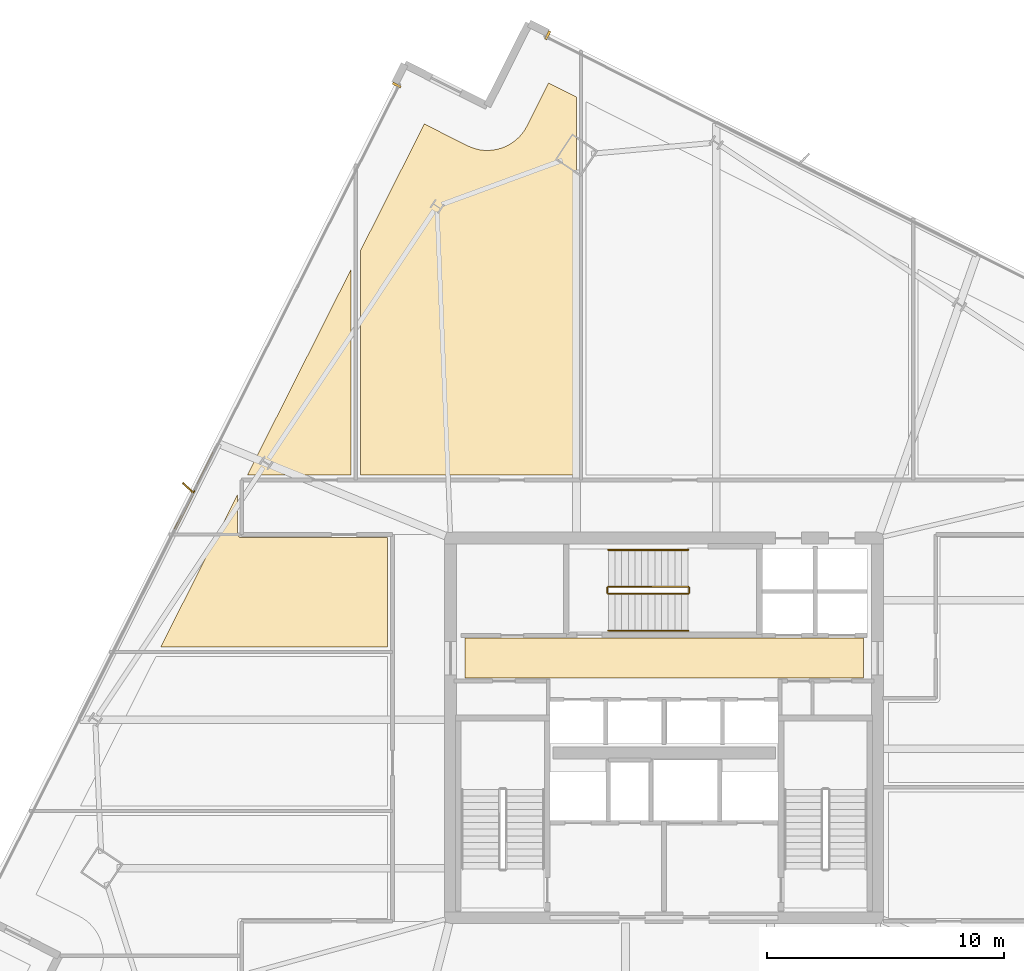
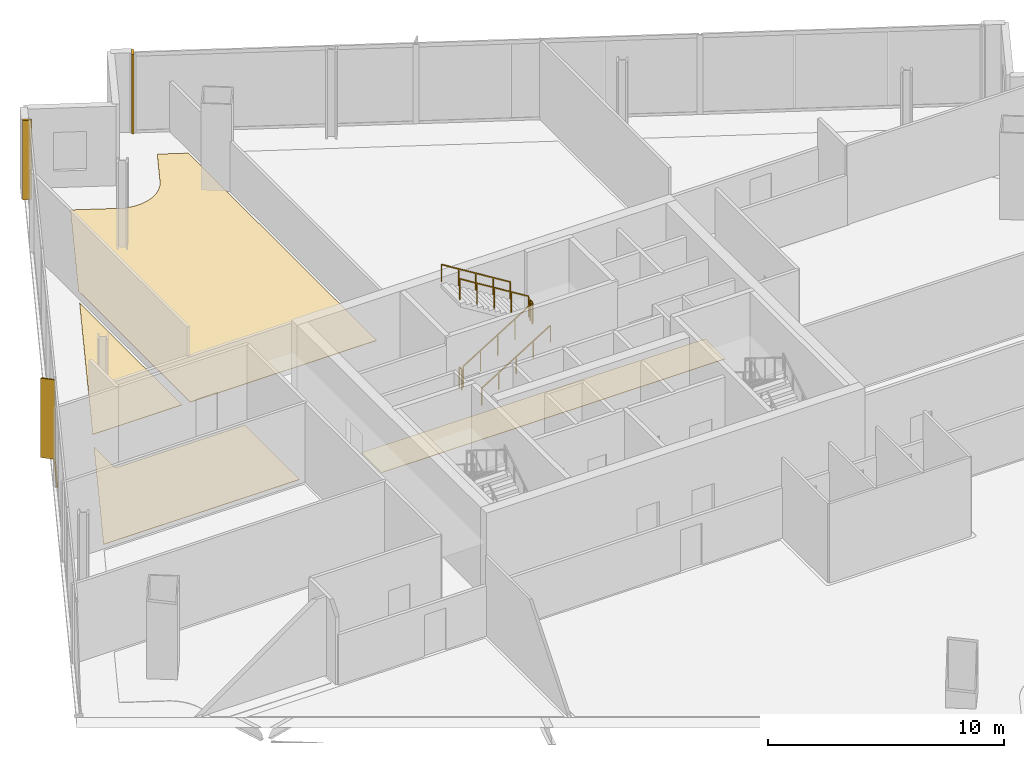
# One storey, part 26 of 27: 7 coverings, 6 railings, 1 shading device.
"""IFC4 building model written with IfcOpenShell, lengths in metres."""

import ifcopenshell
import ifcopenshell.guid

model = None  # the IFC model being written
_history = None  # IfcOwnerHistory: only IFC2X3 demands one
_inside = {}  # id of a spatial element -> (the spatial element, [elements in it])
_under = {}  # id of a project, library or spatial element -> (it, [spatial elements below it])
_declared = {}  # id of a project -> (the project, [libraries it declares])
_typed = {}  # id of a type object -> (the type object, [elements of that type])
_made_of = {}  # id of a material, layer set ... -> (it, [elements and type objects made of it])


def new_model(schema):
    """Start an empty IFC model of exactly this schema.

    Asked for "IFC4X3", IfcOpenShell would pick the latest addendum, in which some entities
    have other attributes; the version numbers below select the first issue.
    IFC2X3 requires an IfcOwnerHistory on every rooted entity: one is made here for all.
    """
    global model, _history
    if schema == "IFC4X3":
        model = ifcopenshell.file(schema_version=(4, 3, 0, 0))
    else:
        model = ifcopenshell.file(schema=schema)
    _inside.clear()
    _under.clear()
    _declared.clear()
    _typed.clear()
    _made_of.clear()
    _history = None
    if model.schema == "IFC2X3":
        org = make("IfcOrganization", Name="unknown")
        user = make(
            "IfcPersonAndOrganization",
            ThePerson=make("IfcPerson", FamilyName="unknown"),
            TheOrganization=org,
        )
        app = make(
            "IfcApplication",
            ApplicationDeveloper=org,
            Version="unknown",
            ApplicationFullName="unknown",
            ApplicationIdentifier="unknown",
        )
        _history = make(
            "IfcOwnerHistory",
            OwningUser=user,
            OwningApplication=app,
            ChangeAction="ADDED",
            CreationDate=0,
        )
    return model


def make(cls, **values):
    """One entity of the class cls with the attributes given. An attribute that is None is left unset."""
    return model.create_entity(
        cls, **{name: value for name, value in values.items() if value is not None}
    )


def rooted(cls, **values):
    """An entity with a GlobalId (a new one), such as an element, a storey or a relation."""
    return make(cls, GlobalId=ifcopenshell.guid.new(), OwnerHistory=_history, **values)


def si_unit(unit_type, name, prefix=None):
    """IfcSIUnit, for example si_unit("LENGTHUNIT", "METRE", prefix="MILLI")."""
    return make("IfcSIUnit", UnitType=unit_type, Prefix=prefix, Name=name)


def assignment(units):
    """IfcUnitAssignment: the units of a project."""
    return None if units is None else make("IfcUnitAssignment", Units=units)


def point(xyz):
    """IfcCartesianPoint."""
    return None if xyz is None else make("IfcCartesianPoint", Coordinates=xyz)


def direction(xyz):
    """IfcDirection."""
    return None if xyz is None else make("IfcDirection", DirectionRatios=xyz)


def frame(location, z_axis=None, x_axis=None):
    """IfcAxis2Placement3D, a coordinate frame: its origin and axes. An axis left out is left unset."""
    return make(
        "IfcAxis2Placement3D",
        Location=point(location),
        Axis=direction(z_axis),
        RefDirection=direction(x_axis),
    )


def frame_2d(location, x_axis=None):
    """IfcAxis2Placement2D, a coordinate frame in the plane: its origin and x axis."""
    return make(
        "IfcAxis2Placement2D", Location=point(location), RefDirection=direction(x_axis)
    )


def origin():
    """The frame at (0, 0, 0) with its axes left unset."""
    return frame((0.0, 0.0, 0.0))


def origin_2d():
    """The frame at (0, 0) in the plane with its x axis left unset."""
    return frame_2d((0.0, 0.0))


def place(relative_to, where):
    """IfcLocalPlacement: puts the frame where relative to a parent placement (None: the world)."""
    return make(
        "IfcLocalPlacement", PlacementRelTo=relative_to, RelativePlacement=where
    )


def context(
    kind, dimensions, precision=None, world=None, true_north=None, identifier=None
):
    """IfcGeometricRepresentationContext, for example the 3D "Model" context."""
    return make(
        "IfcGeometricRepresentationContext",
        ContextIdentifier=identifier,
        ContextType=kind,
        CoordinateSpaceDimension=dimensions,
        Precision=precision,
        WorldCoordinateSystem=world,
        TrueNorth=true_north,
    )


def subcontext(parent, identifier, kind, view, scale=None):
    """IfcGeometricRepresentationSubContext, for example "Body" below "Model"."""
    return make(
        "IfcGeometricRepresentationSubContext",
        ContextIdentifier=identifier,
        ContextType=kind,
        ParentContext=parent,
        TargetScale=scale,
        TargetView=view,
    )


def project(units=None, contexts=None):
    """IfcProject with its units and contexts."""
    return rooted(
        "IfcProject",
        Name="project",
        RepresentationContexts=contexts,
        UnitsInContext=assignment(units),
    )


def spatial(cls, under=None, at=None, **own):
    """A site, building, storey or space (cls), placed at a placement, below another one or the project."""
    s = rooted(cls, ObjectPlacement=at, **own)
    if under is not None:
        _under.setdefault(under.id(), (under, []))[1].append(s)
    return s


def polyline(points):
    """IfcPolyline through the points."""
    return make("IfcPolyline", Points=[point(p) for p in points])


def profile(cls, at=None, kind="AREA", **sizes):
    """A parametric profile (cls). Its sizes go by their IFC names, for example OverallWidth=200.0."""
    return make(cls, ProfileType=kind, Position=at, **sizes)


def rectangle(**sizes):
    """IfcRectangleProfileDef."""
    return profile("IfcRectangleProfileDef", **sizes)


def outline(outer, holes=None, kind="AREA"):
    """IfcArbitraryClosedProfileDef: a profile drawn as a closed curve; with holes, ...WithVoids."""
    if holes is None:
        return make("IfcArbitraryClosedProfileDef", ProfileType=kind, OuterCurve=outer)
    return make(
        "IfcArbitraryProfileDefWithVoids",
        ProfileType=kind,
        OuterCurve=outer,
        InnerCurves=holes,
    )


def extrude(swept, where, along, depth):
    """IfcExtrudedAreaSolid: the profile swept, set in the frame where, extruded along a direction by depth."""
    return make(
        "IfcExtrudedAreaSolid",
        SweptArea=swept,
        Position=where,
        ExtrudedDirection=direction(along),
        Depth=depth,
    )


def shape(context_of_items, identifier, shape_type, items):
    """IfcShapeRepresentation: the items that make up one representation, for example the "Body"."""
    return make(
        "IfcShapeRepresentation",
        ContextOfItems=context_of_items,
        RepresentationIdentifier=identifier,
        RepresentationType=shape_type,
        Items=items,
    )


def source(mapping_origin, context_of_items, identifier, shape_type, items):
    """IfcRepresentationMap: a shape defined once, which mapped items show again and again."""
    return make(
        "IfcRepresentationMap",
        MappingOrigin=mapping_origin,
        MappedRepresentation=shape(context_of_items, identifier, shape_type, items),
    )


def transform(
    local_origin,
    x_axis=None,
    y_axis=None,
    z_axis=None,
    scale=None,
    scale2=None,
    scale3=None,
    uniform=True,
):
    """IfcCartesianTransformationOperator3D, or its non-uniform kind. x_axis, y_axis, z_axis: its Axis1, 2, 3."""
    if uniform:
        return make(
            "IfcCartesianTransformationOperator3D",
            Axis1=direction(x_axis),
            Axis2=direction(y_axis),
            LocalOrigin=point(local_origin),
            Scale=scale,
            Axis3=direction(z_axis),
        )
    return make(
        "IfcCartesianTransformationOperator3DnonUniform",
        Axis1=direction(x_axis),
        Axis2=direction(y_axis),
        LocalOrigin=point(local_origin),
        Scale=scale,
        Axis3=direction(z_axis),
        Scale2=scale2,
        Scale3=scale3,
    )


def mapped(mapping_source, mapping_target):
    """IfcMappedItem: shows the shape of a source again, moved by a transform."""
    return make(
        "IfcMappedItem", MappingSource=mapping_source, MappingTarget=mapping_target
    )


def material(Name=None, Category=None):
    """IfcMaterial."""
    return make("IfcMaterial", Name=Name, Category=Category)


def layer(
    of_material, thickness, ventilated=None, Name=None, Category=None, Priority=None
):
    """IfcMaterialLayer: one layer of a wall or slab, of a material (None: an air gap)."""
    return make(
        "IfcMaterialLayer",
        Material=of_material,
        LayerThickness=thickness,
        IsVentilated=ventilated,
        Name=Name,
        Category=Category,
        Priority=Priority,
    )


def layer_set(layers, Name=None):
    """IfcMaterialLayerSet."""
    return make("IfcMaterialLayerSet", MaterialLayers=layers, LayerSetName=Name)


def made_of(thing, what):
    """Note that an element or type object is made of a material, layer set ...; save() writes the relation."""
    if what is not None:
        _made_of.setdefault(what.id(), (what, []))[1].append(thing)
    return thing


def type_object(cls, material=None, **own):
    """A type object (cls), such as IfcWallType, which elements share."""
    return made_of(rooted(cls, **own), material)


def element(
    cls,
    number,
    at=None,
    inside=None,
    cuts=None,
    type_object=None,
    material=None,
    context=None,
    identifier="Body",
    shape_type=None,
    held_by="IfcProductDefinitionShape",
    body=None,
    shapes=None,
    **own,
):
    """One element of the class cls, such as IfcWall. Its Tag is "e" and its number.

    at: its placement. inside: the storey or other place that contains it. cuts: it is an
    opening in that element (IfcRelVoidsElement). A single representation is given by context,
    identifier, shape_type and body (its items); several are given by shapes. held_by: the class
    of the entity that holds the representations. save() writes the other relations.
    """
    e = rooted(cls, Tag="e%d" % number, ObjectPlacement=at, **own)
    if body is not None:
        shapes = [shape(context, identifier, shape_type, body)]
    if shapes is not None:
        e.Representation = make(held_by, Representations=shapes)
    if inside is not None:
        _inside.setdefault(inside.id(), (inside, []))[1].append(e)
    if cuts is not None:
        rooted(
            "IfcRelVoidsElement", RelatingBuildingElement=cuts, RelatedOpeningElement=e
        )
    if type_object is not None:
        _typed.setdefault(type_object.id(), (type_object, []))[1].append(e)
    return made_of(e, material)


def aggregate(whole, parts):
    """IfcRelAggregates: a whole, such as a stair, and the parts it consists of."""
    return rooted("IfcRelAggregates", RelatingObject=whole, RelatedObjects=parts)


def save(model, path):
    """Write the relations noted so far, then the file.

    IfcRelAggregates (storeys below a building ...), IfcRelContainedInSpatialStructure (elements
    in a storey), IfcRelDefinesByType, IfcRelAssociatesMaterial and IfcRelDeclares: one each for
    every whole, place, type object, material and project.
    """
    for whole, parts in _under.values():
        aggregate(whole, parts)
    for where, things in _inside.values():
        rooted(
            "IfcRelContainedInSpatialStructure",
            RelatedElements=things,
            RelatingStructure=where,
        )
    for kind, things in _typed.values():
        rooted("IfcRelDefinesByType", RelatedObjects=things, RelatingType=kind)
    for what, things in _made_of.values():
        rooted("IfcRelAssociatesMaterial", RelatedObjects=things, RelatingMaterial=what)
    for by, libraries in _declared.values():
        rooted("IfcRelDeclares", RelatingContext=by, RelatedDefinitions=libraries)
    model.write(path)


model = new_model("IFC4")

# Units and contexts
model_context = context("Model", 3, precision=1e-05, world=origin(), true_north=direction((0.0, 1.0)))
body_context = subcontext(model_context, "Body", "Model", "MODEL_VIEW")
ifc_project = project(units=[si_unit("LENGTHUNIT", "METRE"), si_unit("AREAUNIT", "SQUARE_METRE"), si_unit("VOLUMEUNIT", "CUBIC_METRE"), si_unit("PLANEANGLEUNIT", "RADIAN"), si_unit("MASSUNIT", "GRAM", prefix="KILO")], contexts=[model_context])

# Site, building, storey
site_placement = place(None, origin())
site = spatial("IfcSite", under=ifc_project, at=site_placement, CompositionType="ELEMENT")
building_placement = place(site_placement, origin())
building = spatial("IfcBuilding", under=site, at=building_placement, Name="Haldenkirk Collegiate Tower", CompositionType="ELEMENT")
storey_placement = place(building_placement, frame((0.0, 0.0, 239.699951171875)))
storey = spatial("IfcBuildingStorey", under=building, at=storey_placement, Name="L60", CompositionType="ELEMENT", Elevation=239.699951171875)

# Coverings
ifc_material_1 = material(Name="Polished collegiate terrazzo", Category="concrete")
ifc_layer_1 = layer(ifc_material_1, 0.02490234375)
ifc_layer_set_1 = layer_set([ifc_layer_1], Name="Polished collegiate terrazzo")
covering_type_1 = type_object("IfcCoveringType", Name="COV-FLOOR-TERRAZZO", PredefinedType="FLOORING", material=ifc_layer_set_1)
covering_1_placement = place(storey_placement, origin())
element("IfcCovering", 1, at=covering_1_placement, inside=storey, type_object=covering_type_1, Name="L60 polished terrazzo lobby finish", PredefinedType="FLOORING", context=body_context, shape_type="SweptSolid", body=[
    extrude(outline(polyline([(27.60009765625, 28.10009765625), (44.39990234375, 28.10009765625), (44.39990234375, 29.800048828125), (27.60009765625, 29.800048828125), (27.60009765625, 28.10009765625)])), origin(), (0.0, 0.0, 1.0), 0.025146484375),
])
covering_2_placement = place(storey_placement, origin())
element("IfcCovering", 2, at=covering_2_placement, inside=storey, type_object=covering_type_1, Name="L60 academic room finish 04", PredefinedType="FLOORING", context=body_context, shape_type="SweptSolid", body=[
    extrude(outline(polyline([(25.89453125, 51.452392578125), (27.707275390625, 50.53857421875), (27.712646484375, 50.5361328125), (27.86962890625, 50.46630859375), (27.880615234375, 50.462158203125), (28.043701171875, 50.408203125), (28.054931640625, 50.405029296875), (28.22265625, 50.3671875), (28.234130859375, 50.365234375), (28.404541015625, 50.34423828125), (28.416259765625, 50.34326171875), (28.587890625, 50.339111328125), (28.599609375, 50.33935546875), (28.77099609375, 50.351806640625), (28.78271484375, 50.353271484375), (28.951904296875, 50.382568359375), (28.96337890625, 50.385009765625), (29.12890625, 50.430908203125), (29.14013671875, 50.4345703125), (29.30029296875, 50.49609375), (29.311279296875, 50.5009765625), (29.464599609375, 50.578125), (29.474853515625, 50.583984375), (29.6201171875, 50.67578125), (29.629638671875, 50.6826171875), (29.76513671875, 50.7880859375), (29.77392578125, 50.7958984375), (29.8984375, 50.9140625), (29.906494140625, 50.922607421875), (30.018798828125, 51.052734375), (30.026123046875, 51.06201171875), (30.125, 51.202392578125), (30.13134765625, 51.21240234375), (30.216064453125, 51.361572265625), (30.218994140625, 51.36669921875), (31.132568359375, 53.1796875), (32.300048828125, 52.59130859375), (32.300048828125, 36.64990234375), (23.199951171875, 36.64990234375), (23.199951171875, 46.1064453125), (25.89453125, 51.452392578125)])), origin(), (0.0, 0.0, 1.0), 0.025146484375),
])
ifc_material_2 = material(Name="Engineered collegiate oak acoustic flooring", Category="wood")
ifc_layer_2 = layer(ifc_material_2, 0.02197265625)
ifc_layer_set_2 = layer_set([ifc_layer_2], Name="Engineered collegiate oak acoustic flooring")
covering_type_2 = type_object("IfcCoveringType", Name="COV-FLOOR-TIMBER", PredefinedType="FLOORING", material=ifc_layer_set_2)
covering_3_placement = place(storey_placement, origin())
element("IfcCovering", 3, at=covering_3_placement, inside=storey, type_object=covering_type_2, Name="L60 academic room finish 03", PredefinedType="FLOORING", context=body_context, shape_type="SweptSolid", body=[
    extrude(outline(polyline([(22.800048828125, 45.312744140625), (22.800048828125, 36.64990234375), (18.43359375, 36.64990234375), (22.800048828125, 45.312744140625)])), origin(), (0.0, 0.0, 1.0), 0.02197265625),
])
covering_4_placement = place(storey_placement, origin())
element("IfcCovering", 4, at=covering_4_placement, inside=storey, type_object=covering_type_2, Name="L60 academic room finish 09", PredefinedType="FLOORING", context=body_context, shape_type="SweptSolid", body=[
    extrude(outline(polyline([(18.030029296875, 35.849365234375), (18.030029296875, 34.14990234375), (18.030517578125, 34.13818359375), (18.0322265625, 34.126708984375), (18.03515625, 34.115234375), (18.0390625, 34.10400390625), (18.044189453125, 34.093505859375), (18.05029296875, 34.083251953125), (18.05712890625, 34.073974609375), (18.065185546875, 34.065185546875), (18.073974609375, 34.05712890625), (18.083251953125, 34.05029296875), (18.093505859375, 34.044189453125), (18.10400390625, 34.0390625), (18.115234375, 34.03515625), (18.126708984375, 34.0322265625), (18.13818359375, 34.030517578125), (18.14990234375, 34.030029296875), (24.35009765625, 34.030029296875), (24.35009765625, 29.39990234375), (14.779296875, 29.39990234375), (18.030029296875, 35.849365234375)])), origin(), (0.0, 0.0, 1.0), 0.02197265625),
])

# Railings
ifc_material_3 = material(Name="Painted architectural tubular steel", Category="steel")
railing_type_1 = type_object("IfcRailingType", Name="RLG-STAIR-GUARD-1100", PredefinedType="BALUSTRADE", material=ifc_material_3)
railing_1_placement = place(storey_placement, frame((33.64990234375, 31.64990234375, 0.173095703125)))
element("IfcRailing", 5, at=railing_1_placement, inside=storey, type_object=railing_type_1, Name="L60 ST-3 stair guard 1", PredefinedType="BALUSTRADE", context=body_context, shape_type="SweptSolid", body=[
    extrude(rectangle(XDim=0.048095703125, YDim=0.048095703125, at=origin_2d()), frame((0.0, 0.0, 1.076171875), z_axis=(0.850623216509, 0.0, 0.525775754039), x_axis=(0.0, 1.0, 0.0)), (0.0, 0.0, 1.0), 3.9501953125),
    extrude(rectangle(XDim=0.0419921875, YDim=0.0419921875, at=origin_2d()), origin(), (0.0, 0.0, 1.0), 1.052001953125),
    extrude(rectangle(XDim=0.0419921875, YDim=0.0419921875, at=origin_2d()), frame((0.840087890625, 0.0, 0.519287109375)), (0.0, 0.0, 1.0), 1.052001953125),
    extrude(rectangle(XDim=0.0419921875, YDim=0.0419921875, at=origin_2d()), frame((1.68017578125, 0.0, 1.03857421875)), (0.0, 0.0, 1.0), 1.052001953125),
    extrude(rectangle(XDim=0.0419921875, YDim=0.0419921875, at=origin_2d()), frame((2.52001953125, 0.0, 1.5576171875)), (0.0, 0.0, 1.0), 1.052001953125),
    extrude(rectangle(XDim=0.0419921875, YDim=0.0419921875, at=origin_2d()), frame((3.360107421875, 0.0, 2.076904296875)), (0.0, 0.0, 1.0), 1.052001953125),
])
railing_2_placement = place(storey_placement, frame((37.06005859375, 31.699951171875, 2.25)))
element("IfcRailing", 6, at=railing_2_placement, inside=storey, type_object=railing_type_1, Name="L60 ST-3 stair guard 2", PredefinedType="BALUSTRADE", context=body_context, shape_type="SweptSolid", body=[
    extrude(rectangle(XDim=0.048095703125, YDim=0.048095703125, at=origin_2d()), frame((0.0, 0.0, 1.076171875), z_axis=(0.0, 1.0, 0.0), x_axis=(-1.0, 0.0, 0.0)), (0.0, 0.0, 1.0), 0.199951171875),
    extrude(rectangle(XDim=0.0419921875, YDim=0.0419921875, at=origin_2d()), origin(), (0.0, 0.0, 1.0), 1.052001953125),
    extrude(rectangle(XDim=0.0419921875, YDim=0.0419921875, at=origin_2d()), frame((0.0, 0.199951171875, 0.0)), (0.0, 0.0, 1.0), 1.052001953125),
])
railing_3_placement = place(storey_placement, frame((37.010009765625, 31.949951171875, 2.423095703125)))
element("IfcRailing", 7, at=railing_3_placement, inside=storey, type_object=railing_type_1, Name="L60 ST-3 stair guard 3", PredefinedType="BALUSTRADE", context=body_context, shape_type="SweptSolid", body=[
    extrude(rectangle(XDim=0.048095703125, YDim=0.048095703125, at=origin_2d()), frame((0.0, 0.0, 1.076171875), z_axis=(-0.850623216509, 0.0, 0.525775754039), x_axis=(0.0, -1.0, 0.0)), (0.0, 0.0, 1.0), 3.9501953125),
    extrude(rectangle(XDim=0.0419921875, YDim=0.0419921875, at=origin_2d()), origin(), (0.0, 0.0, 1.0), 1.052001953125),
    extrude(rectangle(XDim=0.0419921875, YDim=0.0419921875, at=origin_2d()), frame((-0.840087890625, 0.0, 0.519287109375)), (0.0, 0.0, 1.0), 1.052001953125),
    extrude(rectangle(XDim=0.0419921875, YDim=0.0419921875, at=origin_2d()), frame((-1.68017578125, 0.0, 1.03857421875)), (0.0, 0.0, 1.0), 1.052001953125),
    extrude(rectangle(XDim=0.0419921875, YDim=0.0419921875, at=origin_2d()), frame((-2.52001953125, 0.0, 1.5576171875)), (0.0, 0.0, 1.0), 1.052001953125),
    extrude(rectangle(XDim=0.0419921875, YDim=0.0419921875, at=origin_2d()), frame((-3.360107421875, 0.0, 2.076904296875)), (0.0, 0.0, 1.0), 1.052001953125),
])
railing_4_placement = place(storey_placement, frame((33.60009765625, 31.699951171875, 0.0)))
element("IfcRailing", 8, at=railing_4_placement, inside=storey, type_object=railing_type_1, Name="L60 ST-3 stair guard 4", PredefinedType="BALUSTRADE", context=body_context, shape_type="SweptSolid", body=[
    extrude(rectangle(XDim=0.048095703125, YDim=0.048095703125, at=origin_2d()), frame((0.0, 0.0, 1.076171875), z_axis=(0.0, 1.0, 0.0), x_axis=(-1.0, 0.0, 0.0)), (0.0, 0.0, 1.0), 0.199951171875),
    extrude(rectangle(XDim=0.0419921875, YDim=0.0419921875, at=origin_2d()), origin(), (0.0, 0.0, 1.0), 1.052001953125),
    extrude(rectangle(XDim=0.0419921875, YDim=0.0419921875, at=origin_2d()), frame((0.0, 0.199951171875, 0.0)), (0.0, 0.0, 1.0), 1.052001953125),
])
railing_type_2 = type_object("IfcRailingType", Name="RLG-STAIR-HANDRAIL-900", PredefinedType="HANDRAIL", material=ifc_material_3)
railing_5_placement = place(storey_placement, frame((33.64990234375, 30.10009765625, 0.173095703125)))
element("IfcRailing", 9, at=railing_5_placement, inside=storey, type_object=railing_type_2, Name="L60 ST-3 stair handrail 1", PredefinedType="HANDRAIL", context=body_context, shape_type="SweptSolid", body=[
    extrude(rectangle(XDim=0.048095703125, YDim=0.048095703125, at=origin_2d()), frame((0.0, 0.0, 0.8759765625), z_axis=(0.850623216509, 0.0, 0.525775754039), x_axis=(0.0, 1.0, 0.0)), (0.0, 0.0, 1.0), 3.9501953125),
    extrude(rectangle(XDim=0.0419921875, YDim=0.0419921875, at=origin_2d()), origin(), (0.0, 0.0, 1.0), 0.851806640625),
    extrude(rectangle(XDim=0.0419921875, YDim=0.0419921875, at=origin_2d()), frame((0.840087890625, 0.0, 0.519287109375)), (0.0, 0.0, 1.0), 0.851806640625),
    extrude(rectangle(XDim=0.0419921875, YDim=0.0419921875, at=origin_2d()), frame((1.68017578125, 0.0, 1.03857421875)), (0.0, 0.0, 1.0), 0.851806640625),
    extrude(rectangle(XDim=0.0419921875, YDim=0.0419921875, at=origin_2d()), frame((2.52001953125, 0.0, 1.5576171875)), (0.0, 0.0, 1.0), 0.851806640625),
    extrude(rectangle(XDim=0.0419921875, YDim=0.0419921875, at=origin_2d()), frame((3.360107421875, 0.0, 2.076904296875)), (0.0, 0.0, 1.0), 0.851806640625),
])
railing_6_placement = place(storey_placement, frame((37.010009765625, 33.5, 2.423095703125)))
element("IfcRailing", 10, at=railing_6_placement, inside=storey, type_object=railing_type_2, Name="L60 ST-3 stair handrail 2", PredefinedType="HANDRAIL", context=body_context, shape_type="SweptSolid", body=[
    extrude(rectangle(XDim=0.048095703125, YDim=0.048095703125, at=origin_2d()), frame((0.0, 0.0, 0.8759765625), z_axis=(-0.850623216509, 0.0, 0.525775754039), x_axis=(0.0, -1.0, 0.0)), (0.0, 0.0, 1.0), 3.9501953125),
    extrude(rectangle(XDim=0.0419921875, YDim=0.0419921875, at=origin_2d()), origin(), (0.0, 0.0, 1.0), 0.851806640625),
    extrude(rectangle(XDim=0.0419921875, YDim=0.0419921875, at=origin_2d()), frame((-0.840087890625, 0.0, 0.519287109375)), (0.0, 0.0, 1.0), 0.851806640625),
    extrude(rectangle(XDim=0.0419921875, YDim=0.0419921875, at=origin_2d()), frame((-1.68017578125, 0.0, 1.03857421875)), (0.0, 0.0, 1.0), 0.851806640625),
    extrude(rectangle(XDim=0.0419921875, YDim=0.0419921875, at=origin_2d()), frame((-2.52001953125, 0.0, 1.5576171875)), (0.0, 0.0, 1.0), 0.851806640625),
    extrude(rectangle(XDim=0.0419921875, YDim=0.0419921875, at=origin_2d()), frame((-3.360107421875, 0.0, 2.076904296875)), (0.0, 0.0, 1.0), 0.851806640625),
])

# Coverings
ifc_material_4 = material(Name="Anodised architectural bronze aluminium", Category="aluminium")
ifc_layer_3 = layer(ifc_material_4, 0.06005859375)
ifc_layer_set_3 = layer_set([ifc_layer_3], Name="Anodised architectural bronze aluminium")
covering_type_3 = type_object("IfcCoveringType", Name="COV-CLAD-BRONZE-60", PredefinedType="CLADDING", material=ifc_layer_set_3)
shared_shape_1 = source(origin(), body_context, "Body", "SweptSolid", [
    extrude(rectangle(XDim=3.60009765625, YDim=0.06005859375, at=origin_2d()), origin(), (0.0, 0.0, 1.0), 0.300048828125),
])
covering_5_placement = place(storey_placement, frame((16.20263671875, 35.978759765625, -0.2998046875), z_axis=(0.0, 0.0, 1.0), x_axis=(0.450098441037, 0.892978943411, 0.0)))
element("IfcCovering", 11, at=covering_5_placement, inside=storey, type_object=covering_type_3, Name="L60 architectural bronze spandrel cladding N", PredefinedType="CLADDING", context=body_context, shape_type="MappedRepresentation", body=[
    mapped(shared_shape_1, transform((0.0, 0.0, 0.0), x_axis=(1.0, 0.0, 0.0), y_axis=(0.0, 1.0, 0.0), z_axis=(0.0, 0.0, 1.0), scale=1.0)),
])
shared_shape_2 = source(origin(), body_context, "Body", "SweptSolid", [
    extrude(rectangle(XDim=0.10009765625, YDim=0.3798828125, at=origin_2d()), origin(), (0.0, 0.0, 1.0), 4.10009765625),
])
for number, where, z_axis, x_axis, name in (
    (12, (31.094482421875, 55.192138671875, 0.0), (0.0, 0.0, 1.0), (0.892978943411, -0.450098441037, 0.0), "L60 recessed curtain-wall bronze jamb closure EJL"),
    (13, (24.728271484375, 53.093017578125, 0.0), (0.0, 0.0, 1.0), (0.450098441037, 0.892978943411, 0.0), "L60 recessed curtain-wall bronze jamb closure NJR"),
):
    element("IfcCovering", number, at=place(storey_placement, frame(where, z_axis=z_axis, x_axis=x_axis)), inside=storey, type_object=covering_type_3, Name=name, PredefinedType="CLADDING", context=body_context, shape_type="MappedRepresentation", body=[
        mapped(shared_shape_2, transform((0.0, 0.0, 0.0), x_axis=(1.0, 0.0, 0.0), y_axis=(0.0, 1.0, 0.0), z_axis=(0.0, 0.0, 1.0), scale=1.0)),
    ])

# Shading device
ifc_layer_4 = layer(ifc_material_4, 0.06494140625)
ifc_layer_set_4 = layer_set([ifc_layer_4], Name="Anodised architectural bronze aluminium")
shading_device_type = type_object("IfcShadingDeviceType", Name="SHD-FIN-BRONZE-620", PredefinedType="USERDEFINED", material=ifc_layer_set_4)
shared_shape_3 = source(origin(), body_context, "Body", "SweptSolid", [
    extrude(rectangle(XDim=0.6201171875, YDim=0.06494140625, at=origin_2d()), origin(), (0.0, 0.0, 1.0), 4.10009765625),
])
shading_device_placement = place(storey_placement, frame((15.939208984375, 36.111572265625, 0.0), z_axis=(0.0, 0.0, 1.0), x_axis=(-0.734322509436, 0.678800745533, 0.0)))
element("IfcShadingDevice", 14, at=shading_device_placement, inside=storey, type_object=shading_device_type, Name="L60 folded bronze solar fin 1", ObjectType="FIN", PredefinedType="USERDEFINED", context=body_context, shape_type="MappedRepresentation", body=[
    mapped(shared_shape_3, transform((0.0, 0.0, 0.0), x_axis=(1.0, 0.0, 0.0), y_axis=(0.0, 1.0, 0.0), z_axis=(0.0, 0.0, 1.0), scale=1.0)),
])

save(model, "model.ifc")
